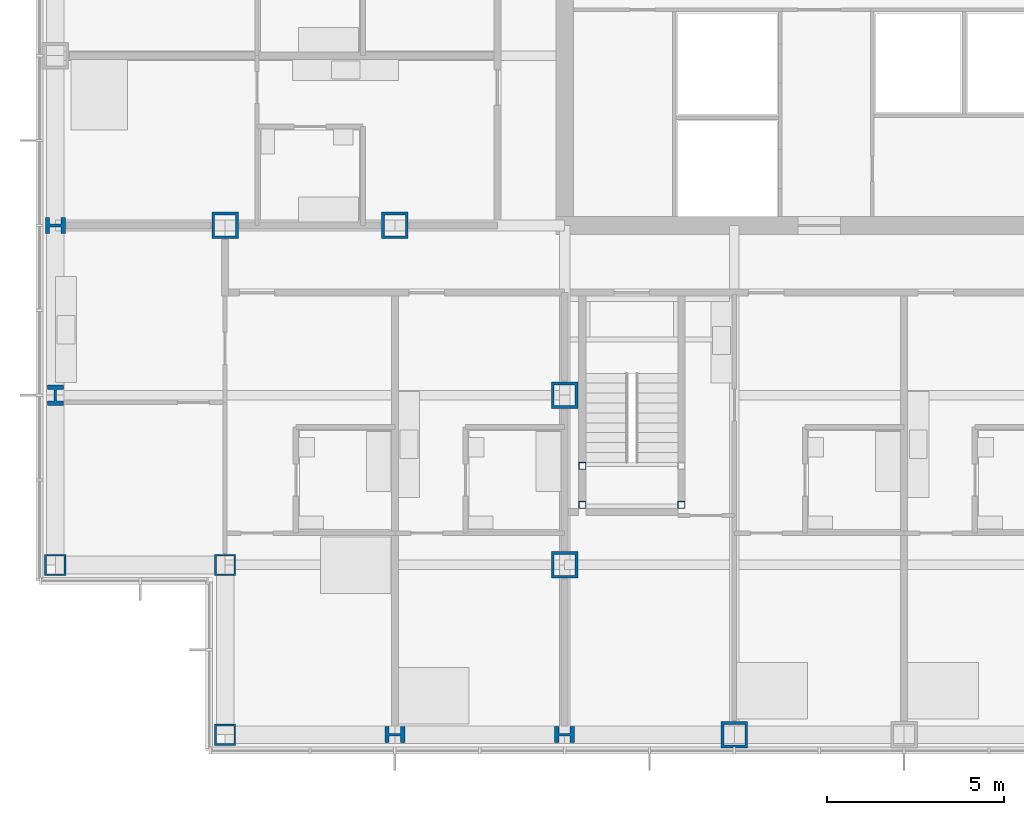
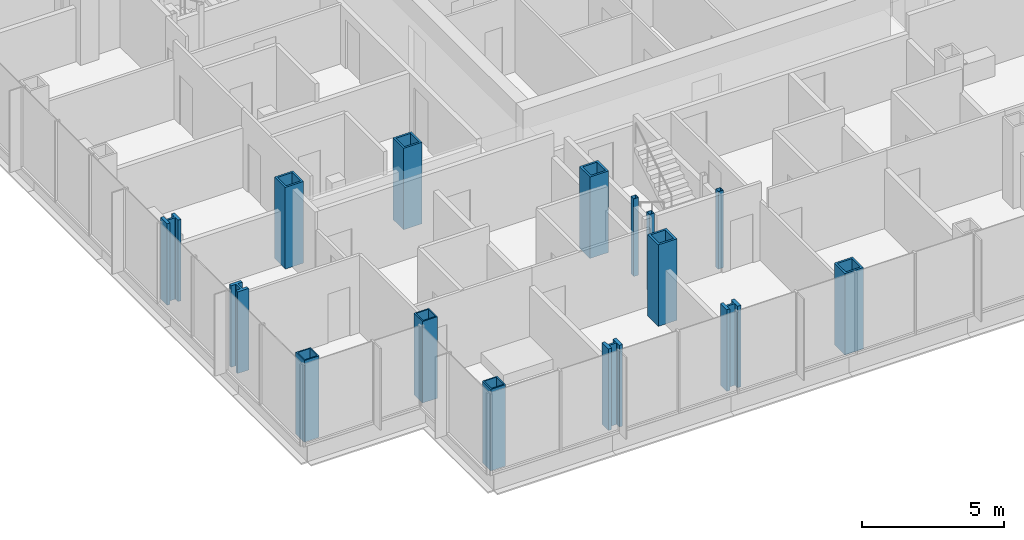
# One storey, part 1 of 21: 15 columns.
"""IFC4 building model written with IfcOpenShell, lengths in metres."""

from ifc_helpers import new_model, si_unit, direction, frame, origin, origin_2d, place, context, subcontext, project, spatial, hollow_rectangle, i_section, extrude, material, material_profile, profile_set, type_object, element, save


model = new_model("IFC4")

# Units and contexts
model_context = context("Model", 3, precision=1e-05, world=origin(), true_north=direction((0.0, 1.0)))
body_context = subcontext(model_context, "Body", "Model", "MODEL_VIEW")
ifc_project = project(units=[si_unit("LENGTHUNIT", "METRE"), si_unit("AREAUNIT", "SQUARE_METRE"), si_unit("VOLUMEUNIT", "CUBIC_METRE"), si_unit("PLANEANGLEUNIT", "RADIAN"), si_unit("MASSUNIT", "GRAM", prefix="KILO")], contexts=[model_context])

# Site, building, storey
site_placement = place(None, origin())
site = spatial("IfcSite", under=ifc_project, at=site_placement, CompositionType="ELEMENT")
building_placement = place(site_placement, origin())
building = spatial("IfcBuilding", under=site, at=building_placement, Name="Kvirike Care Tower", CompositionType="ELEMENT")
storey_placement = place(building_placement, frame((0.0, 0.0, 34.0)))
storey = spatial("IfcBuildingStorey", under=building, at=storey_placement, Name="L08", CompositionType="ELEMENT", Elevation=34.0)

# Columns
ifc_material_1 = material(Name="Steel S460", Category="steel")
ifc_material_profile_1 = material_profile(ifc_material_1, hollow_rectangle(XDim=0.60009765625, YDim=0.60009765625, WallThickness=0.050048828125, at=origin_2d()), Name="BX 600x600x50")
ifc_profile_set_1 = profile_set([ifc_material_profile_1], Name="Steel S460")
column_type_1 = type_object("IfcColumnType", Name="COLUMN BX 600x600x50", PredefinedType="COLUMN", material=ifc_profile_set_1)
for number, where, z_axis, x_axis, name in (
    (1, (0.0, 19.199951171875, 0.0), (0.0, 0.0, 1.0), (0.0, 1.0, 0.0), "Column E3 L08"),
    (2, (4.800048828125, 14.39990234375, 0.0), (0.0, 0.0, 1.0), (0.0, 1.0, 0.0), "Column D4 L08"),
    (3, (4.800048828125, 19.199951171875, 0.0), (0.0, 0.0, 1.0), (0.0, 1.0, 0.0), "Column E4 L08"),
):
    element("IfcColumn", number, at=place(storey_placement, frame(where, z_axis=z_axis, x_axis=x_axis)), inside=storey, type_object=column_type_1, Name=name, PredefinedType="COLUMN", context=body_context, shape_type="SweptSolid", body=[
        extrude(hollow_rectangle(XDim=0.60009765625, YDim=0.60009765625, WallThickness=0.050048828125, at=origin_2d()), origin(), (0.0, 0.0, 1.0), 3.5),
    ])
ifc_material_2 = material(Name="Steel S460", Category="steel")
ifc_material_profile_2 = material_profile(ifc_material_2, hollow_rectangle(XDim=0.75, YDim=0.75, WallThickness=0.080078125, at=origin_2d()), Name="BX 750x750x80")
ifc_profile_set_2 = profile_set([ifc_material_profile_2], Name="Steel S460")
column_type_2 = type_object("IfcColumnType", Name="COLUMN BX 750x750x80", PredefinedType="COLUMN", material=ifc_profile_set_2)
for number, where, z_axis, x_axis, name in (
    (4, (4.800048828125, 28.800048828125, 0.0), (0.0, 0.0, 1.0), (0.0, 1.0, 0.0), "Column G4 L08"),
    (5, (9.60009765625, 28.800048828125, 0.0), (0.0, 0.0, 1.0), (0.0, 1.0, 0.0), "Column G5 L08"),
    (6, (14.39990234375, 19.199951171875, 0.0), (0.0, 0.0, 1.0), (1.0, 0.0, 0.0), "Column E6 L08"),
    (7, (14.39990234375, 24.0, 0.0), (0.0, 0.0, 1.0), (1.0, 0.0, 0.0), "Column F6 L08"),
    (8, (19.199951171875, 14.39990234375, 0.0), (0.0, 0.0, 1.0), (0.0, 1.0, 0.0), "Column D7 L08"),
):
    element("IfcColumn", number, at=place(storey_placement, frame(where, z_axis=z_axis, x_axis=x_axis)), inside=storey, type_object=column_type_2, Name=name, PredefinedType="COLUMN", context=body_context, shape_type="SweptSolid", body=[
        extrude(hollow_rectangle(XDim=0.75, YDim=0.75, WallThickness=0.080078125, at=origin_2d()), origin(), (0.0, 0.0, 1.0), 3.5),
    ])
ifc_material_3 = material(Name="Steel S460", Category="steel")
ifc_material_profile_3 = material_profile(ifc_material_3, i_section(OverallWidth=0.4541015625, OverallDepth=0.569091796875, WebThickness=0.077880859375, FlangeThickness=0.125, FilletRadius=0.014892578125, at=origin_2d()), Name="HD 400x1086")
ifc_profile_set_3 = profile_set([ifc_material_profile_3], Name="Steel S460")
column_type_3 = type_object("IfcColumnType", Name="COLUMN HD 400x1086", PredefinedType="COLUMN", material=ifc_profile_set_3)
for number, where, z_axis, x_axis, name in (
    (9, (0.0, 24.0, 0.0), (0.0, 0.0, 1.0), (1.0, 0.0, 0.0), "Column F3 L08"),
    (10, (0.0, 28.800048828125, 0.0), (0.0, 0.0, 1.0), (0.0, 1.0, 0.0), "Column G3 L08"),
    (11, (9.60009765625, 14.39990234375, 0.0), (0.0, 0.0, 1.0), (0.0, 1.0, 0.0), "Column D5 L08"),
    (12, (14.39990234375, 14.39990234375, 0.0), (0.0, 0.0, 1.0), (0.0, 1.0, 0.0), "Column D6 L08"),
):
    element("IfcColumn", number, at=place(storey_placement, frame(where, z_axis=z_axis, x_axis=x_axis)), inside=storey, type_object=column_type_3, Name=name, PredefinedType="COLUMN", context=body_context, shape_type="SweptSolid", body=[
        extrude(i_section(OverallWidth=0.4541015625, OverallDepth=0.569091796875, WebThickness=0.077880859375, FlangeThickness=0.125, FilletRadius=0.014892578125, at=origin_2d()), origin(), (0.0, 0.0, 1.0), 3.5),
    ])
ifc_material_4 = material(Name="Steel S460", Category="steel")
ifc_material_profile_4 = material_profile(ifc_material_4, hollow_rectangle(XDim=0.199951171875, YDim=0.199951171875, WallThickness=0.008056640625, at=origin_2d()), Name="SHS 200x200x8")
ifc_profile_set_4 = profile_set([ifc_material_profile_4], Name="Steel S460")
column_type_4 = type_object("IfcColumnType", Name="STAIR POST SHS 200x200x8", PredefinedType="COLUMN", material=ifc_profile_set_4)
for number, where, z_axis, x_axis, name in (
    (13, (14.89990234375, 20.89990234375, 0.0), (0.0, 0.0, 1.0), (1.0, 0.0, 0.0), "Stair 5 post 1 L08"),
    (14, (17.699951171875, 20.89990234375, 0.0), (0.0, 0.0, 1.0), (1.0, 0.0, 0.0), "Stair 5 post 2 L08"),
    (15, (14.89990234375, 22.0, 0.0), (0.0, 0.0, 1.0), (1.0, 0.0, 0.0), "Stair 5 post 3 L08"),
):
    element("IfcColumn", number, at=place(storey_placement, frame(where, z_axis=z_axis, x_axis=x_axis)), inside=storey, type_object=column_type_4, Name=name, PredefinedType="COLUMN", context=body_context, shape_type="SweptSolid", body=[
        extrude(hollow_rectangle(XDim=0.199951171875, YDim=0.199951171875, WallThickness=0.008056640625, at=origin_2d()), origin(), (0.0, 0.0, 1.0), 3.330078125),
    ])

save(model, "model.ifc")
